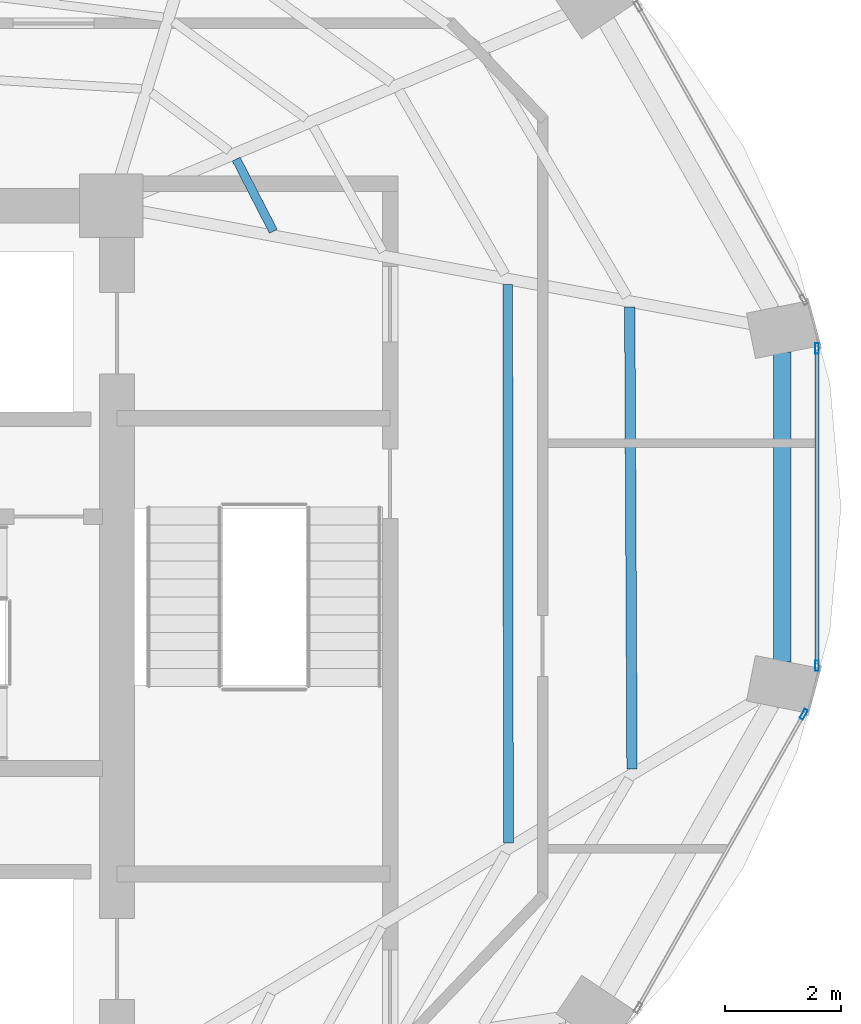
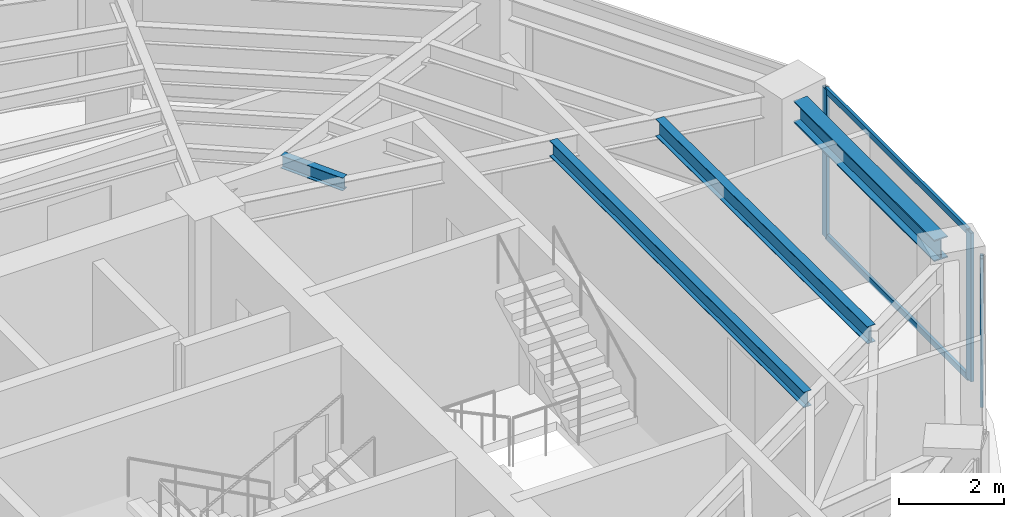
# One storey, part 14 of 22: 5 members, 4 beams, 2 elements without a shape of their own.
"""IFC4 building model written with IfcOpenShell, lengths in metres."""

from ifc_helpers import new_model, si_unit, direction, frame, origin, origin_2d, place, context, subcontext, project, spatial, hollow_rectangle, i_section, extrude, material, layer, layer_set, material_profile, profile_set, type_object, element, aggregate, save


model = new_model("IFC4")

# Units and contexts
model_context = context("Model", 3, precision=1e-05, world=origin(), true_north=direction((0.0, 1.0)))
body_context = subcontext(model_context, "Body", "Model", "MODEL_VIEW")
ifc_project = project(units=[si_unit("LENGTHUNIT", "METRE"), si_unit("AREAUNIT", "SQUARE_METRE"), si_unit("VOLUMEUNIT", "CUBIC_METRE"), si_unit("PLANEANGLEUNIT", "RADIAN"), si_unit("MASSUNIT", "GRAM", prefix="KILO")], contexts=[model_context])

# Site, building, storey
site_placement = place(None, origin())
site = spatial("IfcSite", under=ifc_project, at=site_placement, CompositionType="ELEMENT")
building_placement = place(site_placement, origin())
building = spatial("IfcBuilding", under=site, at=building_placement, Name="Lazwardi Medical Tower", CompositionType="ELEMENT")
storey_placement = place(building_placement, frame((0.0, 0.0, 227.6640625)))
storey = spatial("IfcBuildingStorey", under=building, at=storey_placement, Name="L59", CompositionType="ELEMENT", Elevation=227.6640625)

# Beams
ifc_material_1 = material(Name="Steel S355", Category="steel")
ifc_material_profile_1 = material_profile(ifc_material_1, i_section(OverallWidth=0.300048828125, OverallDepth=0.5, WebThickness=0.014404296875, FlangeThickness=0.028076171875, at=origin_2d()), Name="HEB 500")
ifc_profile_set_1 = profile_set([ifc_material_profile_1], Name="Steel S355")
beam_type_1 = type_object("IfcBeamType", Name="BM-RB-Z4", PredefinedType="BEAM", material=ifc_profile_set_1)
beam_1_placement = place(storey_placement, frame((57.18505859375, 27.72705078125, 3.197998046875), z_axis=(0.0, 1.0, 0.0), x_axis=(-1.0, 0.0, 0.0)))
element("IfcBeam", 1, at=beam_1_placement, inside=storey, type_object=beam_type_1, Name="Ring beam RB-05 B04 L59", PredefinedType="BEAM", context=body_context, shape_type="SweptSolid", body=[
    extrude(i_section(OverallWidth=0.300048828125, OverallDepth=0.5, WebThickness=0.014404296875, FlangeThickness=0.028076171875, at=origin_2d()), origin(), (0.0, 0.0, 1.0), 5.345947265625),
])
ifc_material_profile_2 = material_profile(ifc_material_1, i_section(OverallWidth=0.179931640625, OverallDepth=0.39990234375, WebThickness=0.008544921875, FlangeThickness=0.013427734375, at=origin_2d()), Name="IPE 400")
ifc_profile_set_2 = profile_set([ifc_material_profile_2], Name="Steel S355")
beam_type_2 = type_object("IfcBeamType", Name="BM-SJ-01", PredefinedType="JOIST", material=ifc_profile_set_2)
beam_2_placement = place(storey_placement, frame((54.592041015625, 25.879638671875, 3.248046875), z_axis=(-0.004929366644, 0.999987850598, 0.0), x_axis=(-0.999987850598, -0.004929366644, 0.0)))
element("IfcBeam", 2, at=beam_2_placement, inside=storey, type_object=beam_type_2, Name="Secondary joist SJ-01 R1 B04 L59", PredefinedType="JOIST", context=body_context, shape_type="SweptSolid", body=[
    extrude(i_section(OverallWidth=0.179931640625, OverallDepth=0.39990234375, WebThickness=0.008544921875, FlangeThickness=0.013427734375, at=origin_2d()), origin(), (0.0, 0.0, 1.0), 7.973876953125),
])
ifc_material_profile_3 = material_profile(ifc_material_1, i_section(OverallWidth=0.169921875, OverallDepth=0.360107421875, WebThickness=0.008056640625, FlangeThickness=0.0126953125, at=origin_2d()), Name="IPE 360")
ifc_profile_set_3 = profile_set([ifc_material_profile_3], Name="Steel S355")
beam_type_3 = type_object("IfcBeamType", Name="BM-SJ-02", PredefinedType="JOIST", material=ifc_profile_set_3)
beam_3_placement = place(storey_placement, frame((52.458984375, 24.602294921875, 3.267822265625), z_axis=(-0.001367606673, 0.999999064826, 0.0), x_axis=(-0.999999064826, -0.001367606673, 0.0)))
element("IfcBeam", 3, at=beam_3_placement, inside=storey, type_object=beam_type_3, Name="Secondary joist SJ-02 R2 B04 L59", PredefinedType="JOIST", context=body_context, shape_type="SweptSolid", body=[
    extrude(i_section(OverallWidth=0.169921875, OverallDepth=0.360107421875, WebThickness=0.008056640625, FlangeThickness=0.0126953125, at=origin_2d()), origin(), (0.0, 0.0, 1.0), 9.639892578125),
])
ifc_material_profile_4 = material_profile(ifc_material_1, i_section(OverallWidth=0.14990234375, OverallDepth=0.300048828125, WebThickness=0.007080078125, FlangeThickness=0.0107421875, at=origin_2d()), Name="IPE 300")
ifc_profile_set_4 = profile_set([ifc_material_profile_4], Name="Steel S355")
beam_type_4 = type_object("IfcBeamType", Name="BM-SJ-03", PredefinedType="JOIST", material=ifc_profile_set_4)
beam_4_placement = place(storey_placement, frame((48.39990234375, 35.159912109375, 3.2978515625), z_axis=(-0.457285056668, 0.889320176848, 0.0), x_axis=(-0.889320176848, -0.457285056668, 0.0)))
element("IfcBeam", 4, at=beam_4_placement, inside=storey, type_object=beam_type_4, Name="Secondary joist SJ-03 R4 B05 L59", PredefinedType="JOIST", context=body_context, shape_type="SweptSolid", body=[
    extrude(i_section(OverallWidth=0.14990234375, OverallDepth=0.300048828125, WebThickness=0.007080078125, FlangeThickness=0.0107421875, at=origin_2d()), origin(), (0.0, 0.0, 1.0), 1.402099609375),
])

# Curtain wall, member
ifc_material_2 = material(Name="Anodised bronze aluminium and solar control glazing", Category="aluminium")
ifc_layer = layer(ifc_material_2, 0.18994140625)
ifc_layer_set = layer_set([ifc_layer], Name="Anodised bronze aluminium and solar control glazing")
curtain_wall_type = type_object("IfcCurtainWallType", Name="CW-SYS-04", PredefinedType="NOTDEFINED", material=ifc_layer_set)
curtain_wall_1_placement = place(storey_placement, origin())
curtain_wall_1 = element("IfcCurtainWall", 5, at=curtain_wall_1_placement, inside=storey, type_object=curtain_wall_type, Name="L59 Unitised bronze curtain wall CW-04", PredefinedType="NOTDEFINED")
ifc_material_3 = material(Name="Anodised bronze aluminium", Category="aluminium")
ifc_material_profile_5 = material_profile(ifc_material_3, hollow_rectangle(XDim=0.06494140625, YDim=0.179931640625, WallThickness=0.00390625, at=origin_2d()), Name="ALU-MULLION 180x65x4")
ifc_profile_set_5 = profile_set([ifc_material_profile_5], Name="Anodised bronze aluminium")
member_type_1 = type_object("IfcMemberType", Name="CW-MUL-03", PredefinedType="MULLION", material=ifc_profile_set_5)
member_1_placement = place(storey_placement, frame((57.557373046875, 26.82177734375, 0.0), z_axis=(0.0, 0.0, 1.0), x_axis=(-0.870651436011, 0.491900474661, 0.0)))
member_1 = element("IfcMember", 6, at=member_1_placement, type_object=member_type_1, Name="CW-04 mullion 2", PredefinedType="MULLION", context=body_context, shape_type="SweptSolid", body=[
    extrude(hollow_rectangle(XDim=0.06494140625, YDim=0.179931640625, WallThickness=0.00390625, at=origin_2d()), origin(), (0.0, 0.0, 1.0), 3.447998046875),
])
aggregate(curtain_wall_1, [member_1])

# Curtain wall, members
curtain_wall_2_placement = place(storey_placement, origin())
curtain_wall_2 = element("IfcCurtainWall", 7, at=curtain_wall_2_placement, inside=storey, type_object=curtain_wall_type, Name="L59 Unitised bronze curtain wall CW-04", PredefinedType="NOTDEFINED")
member_2_placement = place(storey_placement, frame((57.7841796875, 27.659423828125, 0.0), z_axis=(0.0, 0.0, 1.0), x_axis=(-1.0, 0.0, 0.0)))
member_2 = element("IfcMember", 8, at=member_2_placement, type_object=member_type_1, Name="CW-04 mullion 1", PredefinedType="MULLION", context=body_context, shape_type="SweptSolid", body=[
    extrude(hollow_rectangle(XDim=0.06494140625, YDim=0.179931640625, WallThickness=0.00390625, at=origin_2d()), origin(), (0.0, 0.0, 1.0), 3.447998046875),
])
member_3_placement = place(storey_placement, frame((57.7841796875, 33.140380859375, 0.0), z_axis=(0.0, 0.0, 1.0), x_axis=(-1.0, 0.0, 0.0)))
member_3 = element("IfcMember", 9, at=member_3_placement, type_object=member_type_1, Name="CW-04 mullion 2", PredefinedType="MULLION", context=body_context, shape_type="SweptSolid", body=[
    extrude(hollow_rectangle(XDim=0.06494140625, YDim=0.179931640625, WallThickness=0.00390625, at=origin_2d()), origin(), (0.0, 0.0, 1.0), 3.447998046875),
])
ifc_material_profile_6 = material_profile(ifc_material_3, hollow_rectangle(XDim=0.06494140625, YDim=0.139892578125, WallThickness=0.00341796875, at=origin_2d()), Name="ALU-TRANSOM 140x65x3.5")
ifc_profile_set_6 = profile_set([ifc_material_profile_6], Name="Anodised bronze aluminium")
member_type_2 = type_object("IfcMemberType", Name="CW-TRN-03", PredefinedType="USERDEFINED", material=ifc_profile_set_6)
member_4_placement = place(storey_placement, frame((57.7841796875, 27.69189453125, 0.032470703125), z_axis=(0.0, 1.0, 0.0), x_axis=(-1.0, 0.0, 0.0)))
member_4 = element("IfcMember", 10, at=member_4_placement, type_object=member_type_2, Name="CW-04 transom 1.1", ObjectType="TRANSOM", PredefinedType="USERDEFINED", context=body_context, shape_type="SweptSolid", body=[
    extrude(hollow_rectangle(XDim=0.06494140625, YDim=0.139892578125, WallThickness=0.00341796875, at=origin_2d()), origin(), (0.0, 0.0, 1.0), 5.416015625),
])
member_5_placement = place(storey_placement, frame((57.7841796875, 27.69189453125, 3.41552734375), z_axis=(0.0, 1.0, 0.0), x_axis=(-1.0, 0.0, 0.0)))
member_5 = element("IfcMember", 11, at=member_5_placement, type_object=member_type_2, Name="CW-04 transom 1.2", ObjectType="TRANSOM", PredefinedType="USERDEFINED", context=body_context, shape_type="SweptSolid", body=[
    extrude(hollow_rectangle(XDim=0.06494140625, YDim=0.139892578125, WallThickness=0.00341796875, at=origin_2d()), origin(), (0.0, 0.0, 1.0), 5.416015625),
])
aggregate(curtain_wall_2, [member_2, member_3, member_4, member_5])

save(model, "model.ifc")
